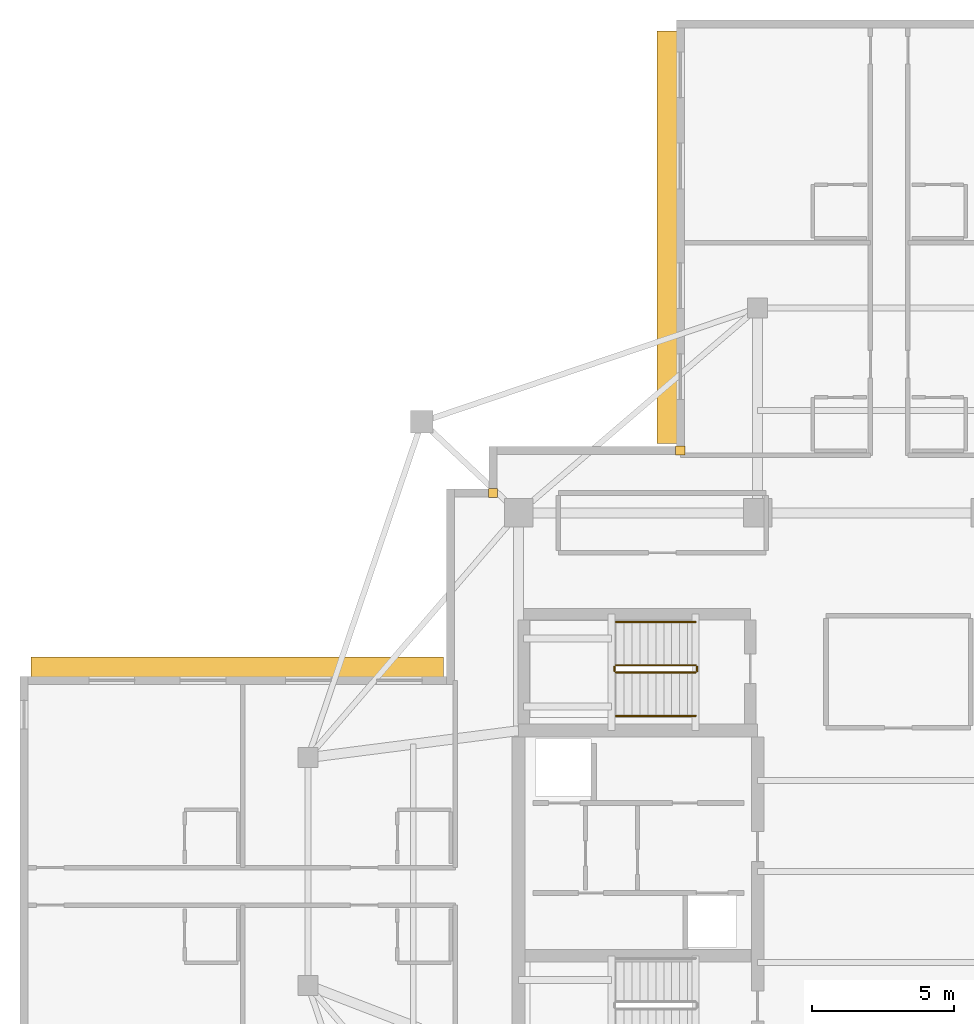
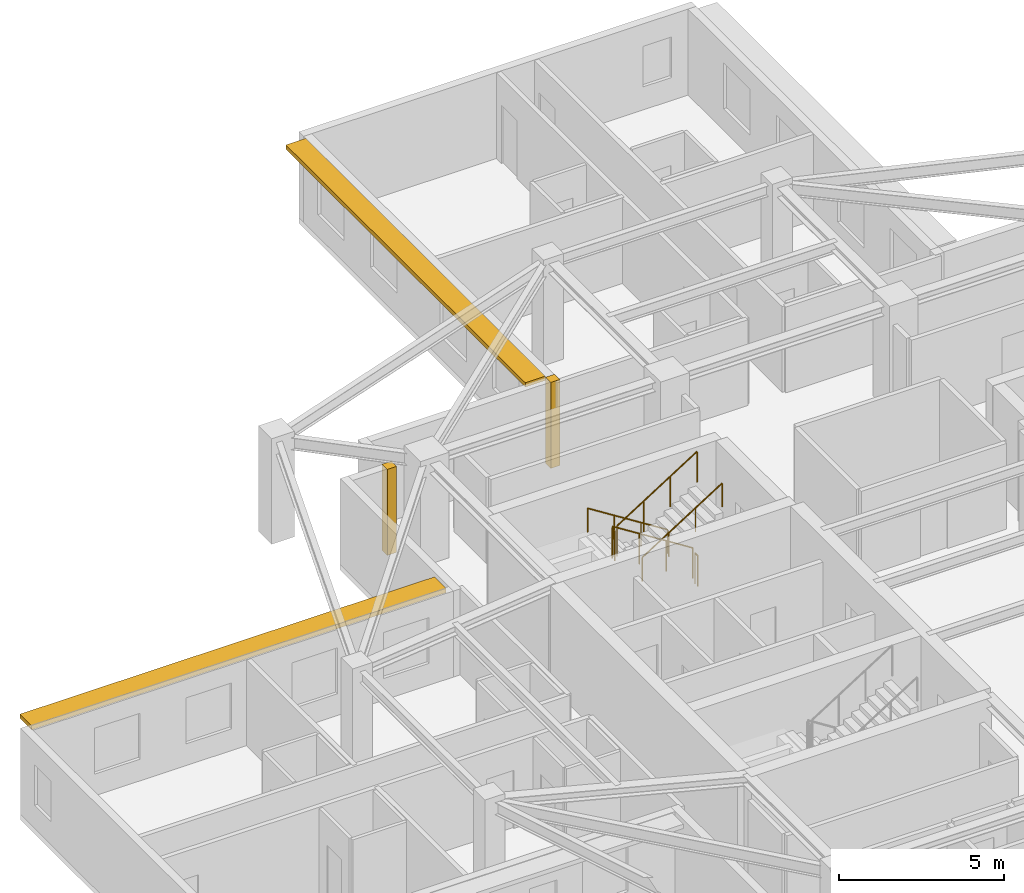
# One storey, part 11 of 12: 6 railings, 2 coverings, 2 shading devices.
"""IFC4 building model written with IfcOpenShell, lengths in metres."""

from ifc_helpers import new_model, si_unit, direction, frame, origin, origin_2d, place, context, subcontext, project, spatial, rectangle, circle, extrude, material, layer, layer_set, type_object, element, save


model = new_model("IFC4")

# Units and contexts
model_context = context("Model", 3, precision=1e-05, world=origin(), true_north=direction((0.0, 1.0)))
body_context = subcontext(model_context, "Body", "Model", "MODEL_VIEW")
ifc_project = project(units=[si_unit("LENGTHUNIT", "METRE"), si_unit("AREAUNIT", "SQUARE_METRE"), si_unit("VOLUMEUNIT", "CUBIC_METRE"), si_unit("PLANEANGLEUNIT", "RADIAN"), si_unit("MASSUNIT", "GRAM", prefix="KILO")], contexts=[model_context])

# Site, building, storey
site_placement = place(None, origin())
site = spatial("IfcSite", under=ifc_project, at=site_placement, CompositionType="ELEMENT")
building_placement = place(site_placement, origin())
building = spatial("IfcBuilding", under=site, at=building_placement, Name="Qingluan Cross Belvedere", CompositionType="ELEMENT")
storey_placement = place(building_placement, frame((0.0, 0.0, 265.5)))
storey = spatial("IfcBuildingStorey", under=building, at=storey_placement, Name="L66", CompositionType="ELEMENT", Elevation=265.5)

# Coverings
ifc_material_1 = material(Name="Precast concrete C45", Category="concrete")
ifc_layer_1 = layer(ifc_material_1, 0.1201171875, Name="ConcreteSpandrelCladding_120")
ifc_layer_set_1 = layer_set([ifc_layer_1], Name="Precast concrete C45")
covering_type = type_object("IfcCoveringType", Name="ConcreteSpandrelCladding_120", PredefinedType="CLADDING", material=ifc_layer_set_1)
for number, where, z_axis, x_axis, name in (
    (1, (-13.300048828125, 13.300048828125, 0.0), (0.0, 0.0, 1.0), (1.0, 0.0, 0.0), "Corner closure L66-NW1"),
    (2, (-6.719970703125, 14.800048828125, 0.0), (0.0, 0.0, 1.0), (1.0, 0.0, 0.0), "Corner closure L66-NW2"),
):
    element("IfcCovering", number, at=place(storey_placement, frame(where, z_axis=z_axis, x_axis=x_axis)), inside=storey, type_object=covering_type, Name=name, PredefinedType="CLADDING", context=body_context, shape_type="SweptSolid", body=[
        extrude(rectangle(XDim=0.320068359375, YDim=0.320068359375, at=origin_2d()), origin(), (0.0, 0.0, 1.0), 3.179931640625),
    ])

# Shading devices
ifc_material_2 = material(Name="Precast concrete C45", Category="concrete")
ifc_layer_2 = layer(ifc_material_2, 0.139892578125, Name="ConcreteSunshadeBand_700")
ifc_layer_set_2 = layer_set([ifc_layer_2], Name="Precast concrete C45")
shading_device_type = type_object("IfcShadingDeviceType", Name="ConcreteSunshadeBand_700", PredefinedType="USERDEFINED", material=ifc_layer_set_2)
for number, where, z_axis, x_axis, name in (
    (3, (-7.18994140625, 22.2900390625, 3.0), (0.0, 0.0, 1.0), (0.0, -1.0, 0.0), "Concrete SUNSHADE L66-NB"),
    (4, (-22.2900390625, 7.18994140625, 3.0), (0.0, 0.0, 1.0), (-1.0, 0.0, 0.0), "Concrete SUNSHADE L66-WA"),
):
    element("IfcShadingDevice", number, at=place(storey_placement, frame(where, z_axis=z_axis, x_axis=x_axis)), inside=storey, type_object=shading_device_type, Name=name, ObjectType="SUNSHADE", PredefinedType="USERDEFINED", context=body_context, shape_type="SweptSolid", body=[
        extrude(rectangle(XDim=14.5, YDim=0.699951171875, at=origin_2d()), origin(), (0.0, 0.0, 1.0), 0.159912109375),
    ])

# Railings
ifc_material_3 = material(Name="Brushed stainless steel tubular handrail", Category="steel")
railing_type_1 = type_object("IfcRailingType", Name="StairPitchHandrail_900", PredefinedType="HANDRAIL", material=ifc_material_3)
railing_1_placement = place(storey_placement, frame((-6.179931640625, 8.77001953125, 0.17724609375)))
element("IfcRailing", 5, at=railing_1_placement, inside=storey, type_object=railing_type_1, Name="L66 ST3 stair handrail 1", PredefinedType="HANDRAIL", context=body_context, shape_type="SweptSolid", body=[
    extrude(circle(Radius=0.02392578125, at=origin_2d()), frame((0.0, 0.0, 0.8759765625), z_axis=(-0.844908973607, 0.0, 0.534910110503), x_axis=(0.0, -1.0, 0.0)), (0.0, 0.0, 1.0), 3.31396484375),
    extrude(circle(Radius=0.02099609375, at=origin_2d()), origin(), (0.0, 0.0, 1.0), 0.851806640625),
    extrude(circle(Radius=0.02099609375, at=origin_2d()), frame((-0.933349609375, 0.0, 0.5908203125)), (0.0, 0.0, 1.0), 0.851806640625),
    extrude(circle(Radius=0.02099609375, at=origin_2d()), frame((-1.86669921875, 0.0, 1.181884765625)), (0.0, 0.0, 1.0), 0.851806640625),
    extrude(circle(Radius=0.02099609375, at=origin_2d()), frame((-2.800048828125, 0.0, 1.772705078125)), (0.0, 0.0, 1.0), 0.851806640625),
])
railing_2_placement = place(storey_placement, frame((-8.97998046875, 5.469970703125, 2.127197265625)))
element("IfcRailing", 6, at=railing_2_placement, inside=storey, type_object=railing_type_1, Name="L66 ST3 stair handrail 2", PredefinedType="HANDRAIL", context=body_context, shape_type="SweptSolid", body=[
    extrude(circle(Radius=0.02392578125, at=origin_2d()), frame((0.0, 0.0, 0.8759765625), z_axis=(0.844908973607, 0.0, 0.534910110503), x_axis=(0.0, 1.0, 0.0)), (0.0, 0.0, 1.0), 3.31396484375),
    extrude(circle(Radius=0.02099609375, at=origin_2d()), origin(), (0.0, 0.0, 1.0), 0.851806640625),
    extrude(circle(Radius=0.02099609375, at=origin_2d()), frame((0.933349609375, 0.0, 0.5908203125)), (0.0, 0.0, 1.0), 0.851806640625),
    extrude(circle(Radius=0.02099609375, at=origin_2d()), frame((1.86669921875, 0.0, 1.181884765625)), (0.0, 0.0, 1.0), 0.851806640625),
    extrude(circle(Radius=0.02099609375, at=origin_2d()), frame((2.800048828125, 0.0, 1.772705078125)), (0.0, 0.0, 1.0), 0.851806640625),
])
ifc_material_4 = material(Name="Painted steel stair well guard", Category="steel")
railing_type_2 = type_object("IfcRailingType", Name="StairWellGuard_1150", PredefinedType="BALUSTRADE", material=ifc_material_4)
railing_3_placement = place(storey_placement, frame((-6.179931640625, 7.25, 0.17724609375)))
element("IfcRailing", 7, at=railing_3_placement, inside=storey, type_object=railing_type_2, Name="L66 ST3 stair guard 1", PredefinedType="BALUSTRADE", context=body_context, shape_type="SweptSolid", body=[
    extrude(circle(Radius=0.02392578125, at=origin_2d()), frame((0.0, 0.0, 1.1259765625), z_axis=(-0.844908973607, 0.0, 0.534910110503), x_axis=(0.0, -1.0, 0.0)), (0.0, 0.0, 1.0), 3.31396484375),
    extrude(circle(Radius=0.02099609375, at=origin_2d()), origin(), (0.0, 0.0, 1.0), 1.101806640625),
    extrude(circle(Radius=0.02099609375, at=origin_2d()), frame((-0.933349609375, 0.0, 0.5908203125)), (0.0, 0.0, 1.0), 1.101806640625),
    extrude(circle(Radius=0.02099609375, at=origin_2d()), frame((-1.86669921875, 0.0, 1.181884765625)), (0.0, 0.0, 1.0), 1.101806640625),
    extrude(circle(Radius=0.02099609375, at=origin_2d()), frame((-2.800048828125, 0.0, 1.772705078125)), (0.0, 0.0, 1.0), 1.101806640625),
])
railing_4_placement = place(storey_placement, frame((-9.030029296875, 7.199951171875, 1.949951171875)))
element("IfcRailing", 8, at=railing_4_placement, inside=storey, type_object=railing_type_2, Name="L66 ST3 stair guard 2", PredefinedType="BALUSTRADE", context=body_context, shape_type="SweptSolid", body=[
    extrude(circle(Radius=0.02392578125, at=origin_2d()), frame((0.0, 0.0, 1.1259765625), z_axis=(0.0, -1.0, 0.0), x_axis=(1.0, 0.0, 0.0)), (0.0, 0.0, 1.0), 0.159912109375),
    extrude(circle(Radius=0.02099609375, at=origin_2d()), origin(), (0.0, 0.0, 1.0), 1.101806640625),
    extrude(circle(Radius=0.02099609375, at=origin_2d()), frame((0.0, -0.159912109375, 0.0)), (0.0, 0.0, 1.0), 1.101806640625),
])
railing_5_placement = place(storey_placement, frame((-8.97998046875, 6.989990234375, 2.127197265625)))
element("IfcRailing", 9, at=railing_5_placement, inside=storey, type_object=railing_type_2, Name="L66 ST3 stair guard 3", PredefinedType="BALUSTRADE", context=body_context, shape_type="SweptSolid", body=[
    extrude(circle(Radius=0.02392578125, at=origin_2d()), frame((0.0, 0.0, 1.1259765625), z_axis=(0.844908973607, 0.0, 0.534910110503), x_axis=(0.0, 1.0, 0.0)), (0.0, 0.0, 1.0), 3.31396484375),
    extrude(circle(Radius=0.02099609375, at=origin_2d()), origin(), (0.0, 0.0, 1.0), 1.101806640625),
    extrude(circle(Radius=0.02099609375, at=origin_2d()), frame((0.933349609375, 0.0, 0.5908203125)), (0.0, 0.0, 1.0), 1.101806640625),
    extrude(circle(Radius=0.02099609375, at=origin_2d()), frame((1.86669921875, 0.0, 1.181884765625)), (0.0, 0.0, 1.0), 1.101806640625),
    extrude(circle(Radius=0.02099609375, at=origin_2d()), frame((2.800048828125, 0.0, 1.772705078125)), (0.0, 0.0, 1.0), 1.101806640625),
])
railing_6_placement = place(storey_placement, frame((-6.1298828125, 7.199951171875, 0.0)))
element("IfcRailing", 10, at=railing_6_placement, inside=storey, type_object=railing_type_2, Name="L66 ST3 stair guard 4", PredefinedType="BALUSTRADE", context=body_context, shape_type="SweptSolid", body=[
    extrude(circle(Radius=0.02392578125, at=origin_2d()), frame((0.0, 0.0, 1.1259765625), z_axis=(0.0, -1.0, 0.0), x_axis=(1.0, 0.0, 0.0)), (0.0, 0.0, 1.0), 0.159912109375),
    extrude(circle(Radius=0.02099609375, at=origin_2d()), origin(), (0.0, 0.0, 1.0), 1.101806640625),
    extrude(circle(Radius=0.02099609375, at=origin_2d()), frame((0.0, -0.159912109375, 0.0)), (0.0, 0.0, 1.0), 1.101806640625),
])

save(model, "model.ifc")
